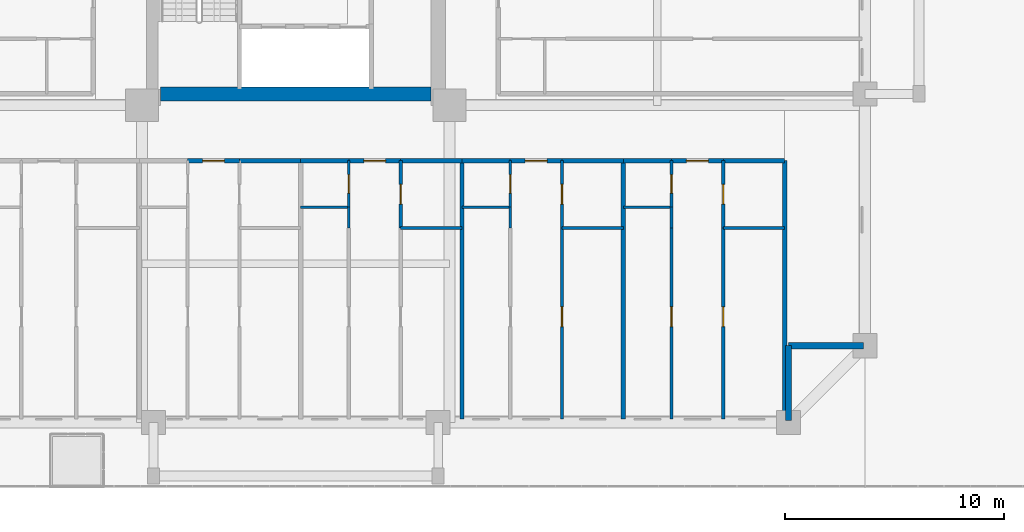
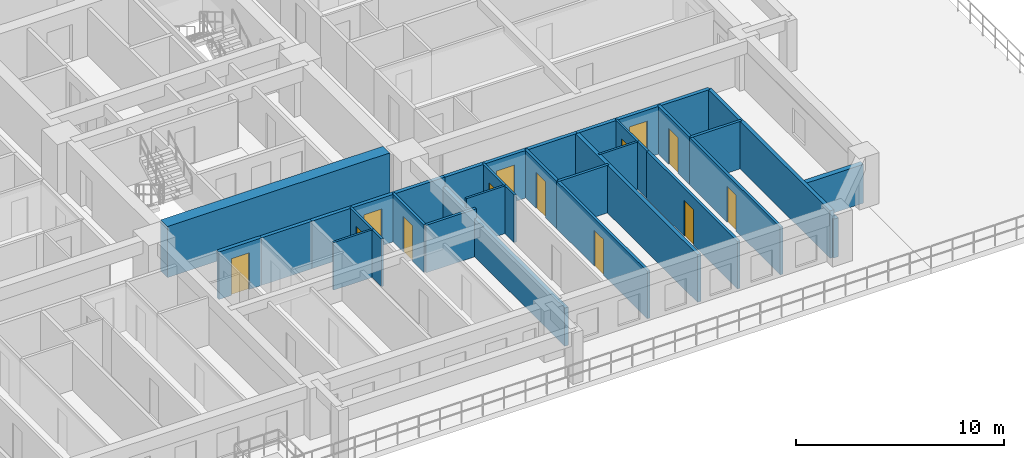
# One storey, part 5 of 19: 35 walls, 13 doors, 13 openings.
"""IFC4 building model written with IfcOpenShell, lengths in metres."""

from ifc_helpers import new_model, si_unit, direction, frame, frame_2d, origin, place, context, subcontext, project, spatial, rectangle, extrude, source, transform, mapped, material, layer, layer_set, type_object, element, fill, save


model = new_model("IFC4")

# Units and contexts
model_context = context("Model", 3, precision=1e-05, world=origin(), true_north=direction((0.0, 1.0)))
body_context = subcontext(model_context, "Body", "Model", "MODEL_VIEW")
ifc_project = project(units=[si_unit("LENGTHUNIT", "METRE"), si_unit("AREAUNIT", "SQUARE_METRE"), si_unit("VOLUMEUNIT", "CUBIC_METRE"), si_unit("PLANEANGLEUNIT", "RADIAN"), si_unit("MASSUNIT", "GRAM", prefix="KILO")], contexts=[model_context])

# Site, building, storey
site_placement = place(None, origin())
site = spatial("IfcSite", under=ifc_project, at=site_placement, CompositionType="ELEMENT")
building_placement = place(site_placement, origin())
building = spatial("IfcBuilding", under=site, at=building_placement, Name="Saelheon Loggia Tower", CompositionType="ELEMENT")
storey_placement = place(building_placement, frame((0.0, 0.0, 19.39990234375)))
storey = spatial("IfcBuildingStorey", under=building, at=storey_placement, Name="L05", CompositionType="ELEMENT", Elevation=19.39990234375)

# Walls
ifc_material_1 = material(Name="Concrete C60/75", Category="concrete")
ifc_layer_1 = layer(ifc_material_1, 0.64990234375)
ifc_layer_set_1 = layer_set([ifc_layer_1], Name="Concrete C60/75")
wall_type_1 = type_object("IfcWallType", Name="Wall_CoreShear_650", PredefinedType="SHEAR", material=ifc_layer_set_1)
wall_1_placement = place(storey_placement, frame((31.824951171875, 18.0, 0.0), z_axis=(0.0, 0.0, 1.0), x_axis=(1.0, 0.0, 0.0)))
element("IfcWall", 1, at=wall_1_placement, inside=storey, type_object=wall_type_1, Name="L05 Core Shear Wall South", PredefinedType="SHEAR", context=body_context, shape_type="SweptSolid", body=[
    extrude(rectangle(XDim=12.35009765625, YDim=0.64990234375, at=frame_2d((6.175048828125, 0.0))), origin(), (0.0, 0.0, 1.0), 3.0),
])
ifc_material_2 = material(Name="Architectural Precast Concrete C40/50", Category="concrete")
ifc_layer_2 = layer(ifc_material_2, 0.280029296875)
ifc_layer_set_2 = layer_set([ifc_layer_2], Name="Architectural Precast Concrete C40/50")
wall_type_2 = type_object("IfcWallType", Name="Wall_Ext_Loggia_280", PredefinedType="SOLIDWALL", material=ifc_layer_set_2)
for number, where, z_axis, x_axis, name in (
    (2, (60.5, 3.080078125, 0.0), (0.0, 0.0, 1.0), (0.0, 1.0, 0.0), "L05 Corner Notch Precast Wall SE1"),
    (3, (60.5, 6.5, 0.0), (0.0, 0.0, 1.0), (1.0, 0.0, 0.0), "L05 Corner Notch Precast Wall SE2"),
):
    element("IfcWall", number, at=place(storey_placement, frame(where, z_axis=z_axis, x_axis=x_axis)), inside=storey, type_object=wall_type_2, Name=name, PredefinedType="SOLIDWALL", context=body_context, shape_type="SweptSolid", body=[
        extrude(rectangle(XDim=3.419921875, YDim=0.280029296875, at=frame_2d((1.7099609375, 0.0))), origin(), (0.0, 0.0, 1.0), 2.280029296875),
    ])
ifc_material_3 = material(Name="Lightweight Autoclaved Aerated Concrete Block and Acoustic Gypsum", Category="concrete")
ifc_layer_3 = layer(ifc_material_3, 0.14990234375)
ifc_layer_set_3 = layer_set([ifc_layer_3], Name="Lightweight Autoclaved Aerated Concrete Block and Acoustic Gypsum")
wall_type_3 = type_object("IfcWallType", Name="Wall_Part_150", PredefinedType="PARTITIONING", material=ifc_layer_set_3)
wall_2_placement = place(storey_placement, frame((42.789794921875, 11.8798828125, 0.0), z_axis=(0.0, 0.0, 1.0), x_axis=(1.0, 0.0, 0.0)))
element("IfcWall", 4, at=wall_2_placement, inside=storey, type_object=wall_type_3, Name="L05 S Partition V40", PredefinedType="PARTITIONING", context=body_context, shape_type="SweptSolid", body=[
    extrude(rectangle(XDim=2.799072265625, YDim=0.14990234375, at=frame_2d((1.3994140625, 0.0))), origin(), (0.0, 0.0, 1.0), 2.7900390625),
])

# Wall, opening, door
wall_3_placement = place(storey_placement, frame((42.789794921875, 14.949951171875, 0.0), z_axis=(0.0, 0.0, 1.0), x_axis=(0.0, -1.0, 0.0)))
wall_3 = element("IfcWall", 5, at=wall_3_placement, inside=storey, type_object=wall_type_3, Name="L05 S Partition U44", PredefinedType="PARTITIONING", context=body_context, shape_type="SweptSolid", body=[
    extrude(rectangle(XDim=3.070068359375, YDim=0.14990234375, at=frame_2d((1.53515625, 0.0))), origin(), (0.0, 0.0, 1.0), 2.7900390625),
])
opening_1_placement = place(wall_3_placement, frame((1.0849609375, 0.0, 0.0)))
opening_1 = element("IfcOpeningElement", 6, at=opening_1_placement, cuts=wall_3, Name="Opening D-IN2", PredefinedType="OPENING", context=body_context, shape_type="SweptSolid", body=[
    extrude(rectangle(XDim=0.89990234375, YDim=2.10009765625, at=frame_2d((0.449951171875, 1.050048828125))), frame((0.0, 0.0869140625, 0.0), z_axis=(0.0, -1.0, 0.0), x_axis=(1.0, 0.0, 0.0)), (0.0, 0.0, 1.0), 0.173828125),
])
ifc_material_4 = material(Name="Engineered Oak Flush Door", Category="timber")
door_type_1 = type_object("IfcDoorType", Name="Door_Int_900", OperationType="NOTDEFINED", PredefinedType="DOOR", material=ifc_material_4)
shared_shape_1 = source(origin(), body_context, "Body", "SweptSolid", [
    extrude(rectangle(XDim=0.89990234375, YDim=2.10009765625, at=frame_2d((0.449951171875, 1.050048828125))), frame((0.0, 0.02490234375, 0.0), z_axis=(0.0, -1.0, 0.0), x_axis=(1.0, 0.0, 0.0)), (0.0, 0.0, 1.0), 0.050048828125),
])
door_1_placement = place(opening_1_placement, origin())
door_1 = element("IfcDoor", 7, at=door_1_placement, inside=storey, type_object=door_type_1, Name="Unit U04 Dressing Closet Door", OperationType="SINGLE_SWING_LEFT", OverallHeight=2.10009765625, OverallWidth=0.89990234375, PredefinedType="DOOR", context=body_context, shape_type="MappedRepresentation", body=[
    mapped(shared_shape_1, transform((0.0, 0.0, 0.0), scale=1.0)),
])
fill(opening_1, door_1)

# Wall
wall_4_placement = place(storey_placement, frame((50.155517578125, 11.8798828125, 0.0), z_axis=(0.0, 0.0, 1.0), x_axis=(1.0, 0.0, 0.0)))
element("IfcWall", 8, at=wall_4_placement, inside=storey, type_object=wall_type_3, Name="L05 S Partition V51", PredefinedType="PARTITIONING", context=body_context, shape_type="SweptSolid", body=[
    extrude(rectangle(XDim=2.798828125, YDim=0.14990234375, at=frame_2d((1.3994140625, 0.0))), origin(), (0.0, 0.0, 1.0), 2.7900390625),
])

# Wall, opening, door
wall_5_placement = place(storey_placement, frame((50.155517578125, 14.949951171875, 0.0), z_axis=(0.0, 0.0, 1.0), x_axis=(0.0, -1.0, 0.0)))
wall_5 = element("IfcWall", 9, at=wall_5_placement, inside=storey, type_object=wall_type_3, Name="L05 S Partition U55", PredefinedType="PARTITIONING", context=body_context, shape_type="SweptSolid", body=[
    extrude(rectangle(XDim=3.070068359375, YDim=0.14990234375, at=frame_2d((1.53515625, 0.0))), origin(), (0.0, 0.0, 1.0), 2.7900390625),
])
opening_2_placement = place(wall_5_placement, frame((1.0849609375, 0.0, 0.0)))
opening_2 = element("IfcOpeningElement", 10, at=opening_2_placement, cuts=wall_5, Name="Opening D-IN2", PredefinedType="OPENING", context=body_context, shape_type="SweptSolid", body=[
    extrude(rectangle(XDim=0.89990234375, YDim=2.10009765625, at=frame_2d((0.449951171875, 1.050048828125))), frame((0.0, 0.0869140625, 0.0), z_axis=(0.0, -1.0, 0.0), x_axis=(1.0, 0.0, 0.0)), (0.0, 0.0, 1.0), 0.173828125),
])
door_2_placement = place(opening_2_placement, origin())
door_2 = element("IfcDoor", 11, at=door_2_placement, inside=storey, type_object=door_type_1, Name="Unit U05 Dressing Closet Door", OperationType="SINGLE_SWING_RIGHT", OverallHeight=2.10009765625, OverallWidth=0.89990234375, PredefinedType="DOOR", context=body_context, shape_type="MappedRepresentation", body=[
    mapped(shared_shape_1, transform((0.0, 0.0, 0.0), scale=1.0)),
])
fill(opening_2, door_2)

wall_6_placement = place(storey_placement, frame((50.155517578125, 11.8798828125, 0.0), z_axis=(0.0, 0.0, 1.0), x_axis=(0.0, -1.0, 0.0)))
wall_6 = element("IfcWall", 12, at=wall_6_placement, inside=storey, type_object=wall_type_3, Name="L05 S Partition U56", PredefinedType="PARTITIONING", context=body_context, shape_type="SweptSolid", body=[
    extrude(rectangle(XDim=8.72998046875, YDim=0.14990234375, at=frame_2d((4.364990234375, 0.0))), origin(), (0.0, 0.0, 1.0), 2.7900390625),
])
opening_3_placement = place(wall_6_placement, frame((3.608642578125, 0.0, 0.0)))
opening_3 = element("IfcOpeningElement", 13, at=opening_3_placement, cuts=wall_6, Name="Opening D-IN2", PredefinedType="OPENING", context=body_context, shape_type="SweptSolid", body=[
    extrude(rectangle(XDim=0.89990234375, YDim=2.10009765625, at=frame_2d((0.449951171875, 1.050048828125))), frame((0.0, 0.0869140625, 0.0), z_axis=(0.0, -1.0, 0.0), x_axis=(1.0, 0.0, 0.0)), (0.0, 0.0, 1.0), 0.173828125),
])
door_3_placement = place(opening_3_placement, origin())
door_3 = element("IfcDoor", 14, at=door_3_placement, inside=storey, type_object=door_type_1, Name="Unit U05 Bedroom 1 Door", OperationType="SINGLE_SWING_LEFT", OverallHeight=2.10009765625, OverallWidth=0.89990234375, PredefinedType="DOOR", context=body_context, shape_type="MappedRepresentation", body=[
    mapped(shared_shape_1, transform((0.0, 0.0, 0.0), scale=1.0)),
])
fill(opening_3, door_3)

# Wall
wall_7_placement = place(storey_placement, frame((57.52099609375, 11.8798828125, 0.0), z_axis=(0.0, 0.0, 1.0), x_axis=(1.0, 0.0, 0.0)))
element("IfcWall", 15, at=wall_7_placement, inside=storey, type_object=wall_type_3, Name="L05 S Partition V62", PredefinedType="PARTITIONING", context=body_context, shape_type="SweptSolid", body=[
    extrude(rectangle(XDim=2.799072265625, YDim=0.14990234375, at=frame_2d((1.3994140625, 0.0))), origin(), (0.0, 0.0, 1.0), 2.7900390625),
])

# Wall, opening, door
wall_8_placement = place(storey_placement, frame((55.154296875, 11.8798828125, 0.0), z_axis=(0.0, 0.0, 1.0), x_axis=(0.0, -1.0, 0.0)))
wall_8 = element("IfcWall", 16, at=wall_8_placement, inside=storey, type_object=wall_type_3, Name="L05 S Partition U65", PredefinedType="PARTITIONING", context=body_context, shape_type="SweptSolid", body=[
    extrude(rectangle(XDim=8.72998046875, YDim=0.14990234375, at=frame_2d((4.364990234375, 0.0))), origin(), (0.0, 0.0, 1.0), 2.7900390625),
])
opening_4_placement = place(wall_8_placement, frame((3.608642578125, 0.0, 0.0)))
opening_4 = element("IfcOpeningElement", 17, at=opening_4_placement, cuts=wall_8, Name="Opening D-IN2", PredefinedType="OPENING", context=body_context, shape_type="SweptSolid", body=[
    extrude(rectangle(XDim=0.89990234375, YDim=2.10009765625, at=frame_2d((0.449951171875, 1.050048828125))), frame((0.0, 0.0869140625, 0.0), z_axis=(0.0, -1.0, 0.0), x_axis=(1.0, 0.0, 0.0)), (0.0, 0.0, 1.0), 0.173828125),
])
door_4_placement = place(opening_4_placement, origin())
door_4 = element("IfcDoor", 18, at=door_4_placement, inside=storey, type_object=door_type_1, Name="Unit U06 Kitchen Door", OperationType="SINGLE_SWING_RIGHT", OverallHeight=2.10009765625, OverallWidth=0.89990234375, PredefinedType="DOOR", context=body_context, shape_type="MappedRepresentation", body=[
    mapped(shared_shape_1, transform((0.0, 0.0, 0.0), scale=1.0)),
])
fill(opening_4, door_4)

wall_9_placement = place(storey_placement, frame((57.52099609375, 14.949951171875, 0.0), z_axis=(0.0, 0.0, 1.0), x_axis=(0.0, -1.0, 0.0)))
wall_9 = element("IfcWall", 19, at=wall_9_placement, inside=storey, type_object=wall_type_3, Name="L05 S Partition U66", PredefinedType="PARTITIONING", context=body_context, shape_type="SweptSolid", body=[
    extrude(rectangle(XDim=3.070068359375, YDim=0.14990234375, at=frame_2d((1.53515625, 0.0))), origin(), (0.0, 0.0, 1.0), 2.7900390625),
])
opening_5_placement = place(wall_9_placement, frame((1.0849609375, 0.0, 0.0)))
opening_5 = element("IfcOpeningElement", 20, at=opening_5_placement, cuts=wall_9, Name="Opening D-IN2", PredefinedType="OPENING", context=body_context, shape_type="SweptSolid", body=[
    extrude(rectangle(XDim=0.89990234375, YDim=2.10009765625, at=frame_2d((0.449951171875, 1.050048828125))), frame((0.0, 0.0869140625, 0.0), z_axis=(0.0, -1.0, 0.0), x_axis=(1.0, 0.0, 0.0)), (0.0, 0.0, 1.0), 0.173828125),
])
door_5_placement = place(opening_5_placement, origin())
door_5 = element("IfcDoor", 21, at=door_5_placement, inside=storey, type_object=door_type_1, Name="Unit U06 Dressing Closet Door", OperationType="SINGLE_SWING_LEFT", OverallHeight=2.10009765625, OverallWidth=0.89990234375, PredefinedType="DOOR", context=body_context, shape_type="MappedRepresentation", body=[
    mapped(shared_shape_1, transform((0.0, 0.0, 0.0), scale=1.0)),
])
fill(opening_5, door_5)

wall_10_placement = place(storey_placement, frame((57.52099609375, 11.8798828125, 0.0), z_axis=(0.0, 0.0, 1.0), x_axis=(0.0, -1.0, 0.0)))
wall_10 = element("IfcWall", 22, at=wall_10_placement, inside=storey, type_object=wall_type_3, Name="L05 S Partition U67", PredefinedType="PARTITIONING", context=body_context, shape_type="SweptSolid", body=[
    extrude(rectangle(XDim=8.72998046875, YDim=0.14990234375, at=frame_2d((4.364990234375, 0.0))), origin(), (0.0, 0.0, 1.0), 2.7900390625),
])
opening_6_placement = place(wall_10_placement, frame((3.608642578125, 0.0, 0.0)))
opening_6 = element("IfcOpeningElement", 23, at=opening_6_placement, cuts=wall_10, Name="Opening D-IN2", PredefinedType="OPENING", context=body_context, shape_type="SweptSolid", body=[
    extrude(rectangle(XDim=0.89990234375, YDim=2.10009765625, at=frame_2d((0.449951171875, 1.050048828125))), frame((0.0, 0.0869140625, 0.0), z_axis=(0.0, -1.0, 0.0), x_axis=(1.0, 0.0, 0.0)), (0.0, 0.0, 1.0), 0.173828125),
])
door_6_placement = place(opening_6_placement, origin())
door_6 = element("IfcDoor", 24, at=door_6_placement, inside=storey, type_object=door_type_1, Name="Unit U06 Bedroom 1 Door", OperationType="SINGLE_SWING_RIGHT", OverallHeight=2.10009765625, OverallWidth=0.89990234375, PredefinedType="DOOR", context=body_context, shape_type="MappedRepresentation", body=[
    mapped(shared_shape_1, transform((0.0, 0.0, 0.0), scale=1.0)),
])
fill(opening_6, door_6)

# Wall
ifc_material_5 = material(Name="Double Acoustic Stud and Fireboard Partition", Category="gypsum")
ifc_layer_4 = layer(ifc_material_5, 0.199951171875)
ifc_layer_set_4 = layer_set([ifc_layer_4], Name="Double Acoustic Stud and Fireboard Partition")
wall_type_4 = type_object("IfcWallType", Name="Wall_Party_200", PredefinedType="PARTITIONING", material=ifc_layer_set_4)
wall_11_placement = place(storey_placement, frame((60.320068359375, 14.949951171875, 0.0), z_axis=(0.0, 0.0, 1.0), x_axis=(0.0, -1.0, 0.0)))
element("IfcWall", 25, at=wall_11_placement, inside=storey, type_object=wall_type_4, Name="L05 S Partition U02", PredefinedType="PARTITIONING", context=body_context, shape_type="SweptSolid", body=[
    extrude(rectangle(XDim=11.800048828125, YDim=0.199951171875, at=frame_2d((5.89990234375, 0.0))), origin(), (0.0, 0.0, 1.0), 2.7900390625),
])

# Wall, opening, door
wall_12_placement = place(storey_placement, frame((33.0576171875, 14.949951171875, 0.0), z_axis=(0.0, 0.0, 1.0), x_axis=(1.0, 0.0, 0.0)))
wall_12 = element("IfcWall", 26, at=wall_12_placement, inside=storey, type_object=wall_type_4, Name="L05 S Partition V26", PredefinedType="PARTITIONING", context=body_context, shape_type="SweptSolid", body=[
    extrude(rectangle(XDim=2.36669921875, YDim=0.199951171875, at=frame_2d((1.183349609375, 0.0))), origin(), (0.0, 0.0, 1.0), 2.7900390625),
])
opening_7_placement = place(wall_12_placement, frame((0.683349609375, 0.0, 0.0)))
opening_7 = element("IfcOpeningElement", 27, at=opening_7_placement, cuts=wall_12, Name="Opening D-FD1", PredefinedType="OPENING", context=body_context, shape_type="SweptSolid", body=[
    extrude(rectangle(XDim=1.0, YDim=2.14990234375, at=frame_2d((0.5, 1.074951171875))), frame((0.0, 0.112060546875, 0.0), z_axis=(0.0, -1.0, 0.0), x_axis=(1.0, 0.0, 0.0)), (0.0, 0.0, 1.0), 0.223876953125),
])
ifc_material_6 = material(Name="Fire-Rated Engineered Timber Entrance Door", Category="wood")
door_type_2 = type_object("IfcDoorType", Name="Door_Flat_FD30S", OperationType="NOTDEFINED", PredefinedType="DOOR", material=ifc_material_6)
shared_shape_2 = source(origin(), body_context, "Body", "SweptSolid", [
    extrude(rectangle(XDim=1.0, YDim=2.14990234375, at=frame_2d((0.5, 1.074951171875))), frame((0.0, 0.02490234375, 0.0), z_axis=(0.0, -1.0, 0.0), x_axis=(1.0, 0.0, 0.0)), (0.0, 0.0, 1.0), 0.050048828125),
])
door_7_placement = place(opening_7_placement, origin())
door_7 = element("IfcDoor", 28, at=door_7_placement, inside=storey, type_object=door_type_2, Name="Unit U03 Entrance Door", OperationType="SINGLE_SWING_LEFT", OverallHeight=2.14990234375, OverallWidth=1.0, PredefinedType="DOOR", context=body_context, shape_type="MappedRepresentation", body=[
    mapped(shared_shape_2, transform((0.0, 0.0, 0.0), scale=1.0)),
])
fill(opening_7, door_7)

# Walls
wall_13_placement = place(storey_placement, frame((35.42431640625, 14.949951171875, 0.0), z_axis=(0.0, 0.0, 1.0), x_axis=(1.0, 0.0, 0.0)))
element("IfcWall", 29, at=wall_13_placement, inside=storey, type_object=wall_type_4, Name="L05 S Partition V27", PredefinedType="PARTITIONING", context=body_context, shape_type="SweptSolid", body=[
    extrude(rectangle(XDim=2.798828125, YDim=0.199951171875, at=frame_2d((1.3994140625, 0.0))), origin(), (0.0, 0.0, 1.0), 2.7900390625),
])
wall_14_placement = place(storey_placement, frame((38.22314453125, 14.949951171875, 0.0), z_axis=(0.0, 0.0, 1.0), x_axis=(1.0, 0.0, 0.0)))
element("IfcWall", 30, at=wall_14_placement, inside=storey, type_object=wall_type_4, Name="L05 S Partition V36", PredefinedType="PARTITIONING", context=body_context, shape_type="SweptSolid", body=[
    extrude(rectangle(XDim=2.199951171875, YDim=0.199951171875, at=frame_2d((1.10009765625, 0.0))), origin(), (0.0, 0.0, 1.0), 2.7900390625),
])

# Wall, opening, door
wall_15_placement = place(storey_placement, frame((40.423095703125, 14.949951171875, 0.0), z_axis=(0.0, 0.0, 1.0), x_axis=(1.0, 0.0, 0.0)))
wall_15 = element("IfcWall", 31, at=wall_15_placement, inside=storey, type_object=wall_type_4, Name="L05 S Partition V37", PredefinedType="PARTITIONING", context=body_context, shape_type="SweptSolid", body=[
    extrude(rectangle(XDim=2.36669921875, YDim=0.199951171875, at=frame_2d((1.183349609375, 0.0))), origin(), (0.0, 0.0, 1.0), 2.7900390625),
])
opening_8_placement = place(wall_15_placement, frame((0.683349609375, 0.0, 0.0)))
opening_8 = element("IfcOpeningElement", 32, at=opening_8_placement, cuts=wall_15, Name="Opening D-FD1", PredefinedType="OPENING", context=body_context, shape_type="SweptSolid", body=[
    extrude(rectangle(XDim=1.0, YDim=2.14990234375, at=frame_2d((0.5, 1.074951171875))), frame((0.0, 0.112060546875, 0.0), z_axis=(0.0, -1.0, 0.0), x_axis=(1.0, 0.0, 0.0)), (0.0, 0.0, 1.0), 0.223876953125),
])
door_8_placement = place(opening_8_placement, origin())
door_8 = element("IfcDoor", 33, at=door_8_placement, inside=storey, type_object=door_type_2, Name="Unit U04 Entrance Door", OperationType="SINGLE_SWING_RIGHT", OverallHeight=2.14990234375, OverallWidth=1.0, PredefinedType="DOOR", context=body_context, shape_type="MappedRepresentation", body=[
    mapped(shared_shape_2, transform((0.0, 0.0, 0.0), scale=1.0)),
])
fill(opening_8, door_8)

# Walls
wall_16_placement = place(storey_placement, frame((42.789794921875, 14.949951171875, 0.0), z_axis=(0.0, 0.0, 1.0), x_axis=(1.0, 0.0, 0.0)))
element("IfcWall", 34, at=wall_16_placement, inside=storey, type_object=wall_type_4, Name="L05 S Partition V38", PredefinedType="PARTITIONING", context=body_context, shape_type="SweptSolid", body=[
    extrude(rectangle(XDim=2.799072265625, YDim=0.199951171875, at=frame_2d((1.3994140625, 0.0))), origin(), (0.0, 0.0, 1.0), 2.7900390625),
])
wall_17_placement = place(storey_placement, frame((45.5888671875, 14.949951171875, 0.0), z_axis=(0.0, 0.0, 1.0), x_axis=(0.0, -1.0, 0.0)))
element("IfcWall", 35, at=wall_17_placement, inside=storey, type_object=wall_type_4, Name="L05 S Partition U46", PredefinedType="PARTITIONING", context=body_context, shape_type="SweptSolid", body=[
    extrude(rectangle(XDim=11.800048828125, YDim=0.199951171875, at=frame_2d((5.89990234375, 0.0))), origin(), (0.0, 0.0, 1.0), 2.239990234375),
])
wall_18_placement = place(storey_placement, frame((45.5888671875, 14.949951171875, 0.0), z_axis=(0.0, 0.0, 1.0), x_axis=(1.0, 0.0, 0.0)))
element("IfcWall", 36, at=wall_18_placement, inside=storey, type_object=wall_type_4, Name="L05 S Partition V47", PredefinedType="PARTITIONING", context=body_context, shape_type="SweptSolid", body=[
    extrude(rectangle(XDim=2.199951171875, YDim=0.199951171875, at=frame_2d((1.10009765625, 0.0))), origin(), (0.0, 0.0, 1.0), 2.7900390625),
])

# Wall, opening, door
wall_19_placement = place(storey_placement, frame((47.788818359375, 14.949951171875, 0.0), z_axis=(0.0, 0.0, 1.0), x_axis=(1.0, 0.0, 0.0)))
wall_19 = element("IfcWall", 37, at=wall_19_placement, inside=storey, type_object=wall_type_4, Name="L05 S Partition V48", PredefinedType="PARTITIONING", context=body_context, shape_type="SweptSolid", body=[
    extrude(rectangle(XDim=2.36669921875, YDim=0.199951171875, at=frame_2d((1.183349609375, 0.0))), origin(), (0.0, 0.0, 1.0), 2.7900390625),
])
opening_9_placement = place(wall_19_placement, frame((0.683349609375, 0.0, 0.0)))
opening_9 = element("IfcOpeningElement", 38, at=opening_9_placement, cuts=wall_19, Name="Opening D-FD1", PredefinedType="OPENING", context=body_context, shape_type="SweptSolid", body=[
    extrude(rectangle(XDim=1.0, YDim=2.14990234375, at=frame_2d((0.5, 1.074951171875))), frame((0.0, 0.112060546875, 0.0), z_axis=(0.0, -1.0, 0.0), x_axis=(1.0, 0.0, 0.0)), (0.0, 0.0, 1.0), 0.223876953125),
])
door_9_placement = place(opening_9_placement, origin())
door_9 = element("IfcDoor", 39, at=door_9_placement, inside=storey, type_object=door_type_2, Name="Unit U05 Entrance Door", OperationType="SINGLE_SWING_LEFT", OverallHeight=2.14990234375, OverallWidth=1.0, PredefinedType="DOOR", context=body_context, shape_type="MappedRepresentation", body=[
    mapped(shared_shape_2, transform((0.0, 0.0, 0.0), scale=1.0)),
])
fill(opening_9, door_9)

# Walls
wall_20_placement = place(storey_placement, frame((50.155517578125, 14.949951171875, 0.0), z_axis=(0.0, 0.0, 1.0), x_axis=(1.0, 0.0, 0.0)))
element("IfcWall", 40, at=wall_20_placement, inside=storey, type_object=wall_type_4, Name="L05 S Partition V49", PredefinedType="PARTITIONING", context=body_context, shape_type="SweptSolid", body=[
    extrude(rectangle(XDim=2.798828125, YDim=0.199951171875, at=frame_2d((1.3994140625, 0.0))), origin(), (0.0, 0.0, 1.0), 2.7900390625),
])
wall_21_placement = place(storey_placement, frame((52.954345703125, 14.949951171875, 0.0), z_axis=(0.0, 0.0, 1.0), x_axis=(0.0, -1.0, 0.0)))
element("IfcWall", 41, at=wall_21_placement, inside=storey, type_object=wall_type_4, Name="L05 S Partition U57", PredefinedType="PARTITIONING", context=body_context, shape_type="SweptSolid", body=[
    extrude(rectangle(XDim=11.800048828125, YDim=0.199951171875, at=frame_2d((5.89990234375, 0.0))), origin(), (0.0, 0.0, 1.0), 2.7900390625),
])
wall_22_placement = place(storey_placement, frame((52.954345703125, 14.949951171875, 0.0), z_axis=(0.0, 0.0, 1.0), x_axis=(1.0, 0.0, 0.0)))
element("IfcWall", 42, at=wall_22_placement, inside=storey, type_object=wall_type_4, Name="L05 S Partition V58", PredefinedType="PARTITIONING", context=body_context, shape_type="SweptSolid", body=[
    extrude(rectangle(XDim=2.199951171875, YDim=0.199951171875, at=frame_2d((1.10009765625, 0.0))), origin(), (0.0, 0.0, 1.0), 2.7900390625),
])

# Wall, opening, door
wall_23_placement = place(storey_placement, frame((55.154296875, 14.949951171875, 0.0), z_axis=(0.0, 0.0, 1.0), x_axis=(1.0, 0.0, 0.0)))
wall_23 = element("IfcWall", 43, at=wall_23_placement, inside=storey, type_object=wall_type_4, Name="L05 S Partition V59", PredefinedType="PARTITIONING", context=body_context, shape_type="SweptSolid", body=[
    extrude(rectangle(XDim=2.36669921875, YDim=0.199951171875, at=frame_2d((1.183349609375, 0.0))), origin(), (0.0, 0.0, 1.0), 2.7900390625),
])
opening_10_placement = place(wall_23_placement, frame((0.683349609375, 0.0, 0.0)))
opening_10 = element("IfcOpeningElement", 44, at=opening_10_placement, cuts=wall_23, Name="Opening D-FD1", PredefinedType="OPENING", context=body_context, shape_type="SweptSolid", body=[
    extrude(rectangle(XDim=1.0, YDim=2.14990234375, at=frame_2d((0.5, 1.074951171875))), frame((0.0, 0.112060546875, 0.0), z_axis=(0.0, -1.0, 0.0), x_axis=(1.0, 0.0, 0.0)), (0.0, 0.0, 1.0), 0.223876953125),
])
door_10_placement = place(opening_10_placement, origin())
door_10 = element("IfcDoor", 45, at=door_10_placement, inside=storey, type_object=door_type_2, Name="Unit U06 Entrance Door", OperationType="SINGLE_SWING_RIGHT", OverallHeight=2.14990234375, OverallWidth=1.0, PredefinedType="DOOR", context=body_context, shape_type="MappedRepresentation", body=[
    mapped(shared_shape_2, transform((0.0, 0.0, 0.0), scale=1.0)),
])
fill(opening_10, door_10)

# Walls
wall_24_placement = place(storey_placement, frame((57.52099609375, 14.949951171875, 0.0), z_axis=(0.0, 0.0, 1.0), x_axis=(1.0, 0.0, 0.0)))
element("IfcWall", 46, at=wall_24_placement, inside=storey, type_object=wall_type_4, Name="L05 S Partition V60", PredefinedType="PARTITIONING", context=body_context, shape_type="SweptSolid", body=[
    extrude(rectangle(XDim=2.799072265625, YDim=0.199951171875, at=frame_2d((1.3994140625, 0.0))), origin(), (0.0, 0.0, 1.0), 2.7900390625),
])
ifc_material_7 = material(Name="Moisture-Resistant Cement Board Partition", Category="gypsum")
ifc_layer_5 = layer(ifc_material_7, 0.1201171875)
ifc_layer_set_5 = layer_set([ifc_layer_5], Name="Moisture-Resistant Cement Board Partition")
wall_type_5 = type_object("IfcWallType", Name="Wall_WetPart_120", PredefinedType="PARTITIONING", material=ifc_layer_set_5)
wall_25_placement = place(storey_placement, frame((38.22314453125, 12.830078125, 0.0), z_axis=(0.0, 0.0, 1.0), x_axis=(1.0, 0.0, 0.0)))
element("IfcWall", 47, at=wall_25_placement, inside=storey, type_object=wall_type_5, Name="L05 S Partition V39", PredefinedType="PARTITIONING", context=body_context, shape_type="SweptSolid", body=[
    extrude(rectangle(XDim=2.199951171875, YDim=0.1201171875, at=frame_2d((1.10009765625, 0.0))), origin(), (0.0, 0.0, 1.0), 2.7900390625),
])

# Wall, opening, door
wall_26_placement = place(storey_placement, frame((40.423095703125, 14.949951171875, 0.0), z_axis=(0.0, 0.0, 1.0), x_axis=(0.0, -1.0, 0.0)))
wall_26 = element("IfcWall", 48, at=wall_26_placement, inside=storey, type_object=wall_type_5, Name="L05 S Partition U41", PredefinedType="PARTITIONING", context=body_context, shape_type="SweptSolid", body=[
    extrude(rectangle(XDim=2.119873046875, YDim=0.1201171875, at=frame_2d((1.06005859375, 0.0))), origin(), (0.0, 0.0, 1.0), 2.7900390625),
])
opening_11_placement = place(wall_26_placement, frame((0.635009765625, 0.0, 0.0)))
opening_11 = element("IfcOpeningElement", 49, at=opening_11_placement, cuts=wall_26, Name="Opening D-BT1", PredefinedType="OPENING", context=body_context, shape_type="SweptSolid", body=[
    extrude(rectangle(XDim=0.85009765625, YDim=2.050048828125, at=frame_2d((0.425048828125, 1.02490234375))), frame((0.0, 0.072021484375, 0.0), z_axis=(0.0, -1.0, 0.0), x_axis=(1.0, 0.0, 0.0)), (0.0, 0.0, 1.0), 0.14404296875),
])
ifc_material_8 = material(Name="Moisture-Resistant Laminate Timber Door", Category="wood")
door_type_3 = type_object("IfcDoorType", Name="Door_Bath_850", OperationType="NOTDEFINED", PredefinedType="DOOR", material=ifc_material_8)
shared_shape_3 = source(origin(), body_context, "Body", "SweptSolid", [
    extrude(rectangle(XDim=0.85009765625, YDim=2.050048828125, at=frame_2d((0.425048828125, 1.02490234375))), frame((0.0, 0.02490234375, 0.0), z_axis=(0.0, -1.0, 0.0), x_axis=(1.0, 0.0, 0.0)), (0.0, 0.0, 1.0), 0.050048828125),
])
door_11_placement = place(opening_11_placement, origin())
door_11 = element("IfcDoor", 50, at=door_11_placement, inside=storey, type_object=door_type_3, Name="Unit U04 Bathroom Door", OperationType="SINGLE_SWING_LEFT", OverallHeight=2.050048828125, OverallWidth=0.85009765625, PredefinedType="DOOR", context=body_context, shape_type="MappedRepresentation", body=[
    mapped(shared_shape_3, transform((0.0, 0.0, 0.0), scale=1.0)),
])
fill(opening_11, door_11)

# Walls
wall_27_placement = place(storey_placement, frame((40.423095703125, 12.830078125, 0.0), z_axis=(0.0, 0.0, 1.0), x_axis=(0.0, -1.0, 0.0)))
element("IfcWall", 51, at=wall_27_placement, inside=storey, type_object=wall_type_5, Name="L05 S Partition U42", PredefinedType="PARTITIONING", context=body_context, shape_type="SweptSolid", body=[
    extrude(rectangle(XDim=0.9501953125, YDim=0.1201171875, at=frame_2d((0.47509765625, 0.0))), origin(), (0.0, 0.0, 1.0), 2.7900390625),
])
wall_28_placement = place(storey_placement, frame((45.5888671875, 12.830078125, 0.0), z_axis=(0.0, 0.0, 1.0), x_axis=(1.0, 0.0, 0.0)))
element("IfcWall", 52, at=wall_28_placement, inside=storey, type_object=wall_type_5, Name="L05 S Partition V50", PredefinedType="PARTITIONING", context=body_context, shape_type="SweptSolid", body=[
    extrude(rectangle(XDim=2.199951171875, YDim=0.1201171875, at=frame_2d((1.10009765625, 0.0))), origin(), (0.0, 0.0, 1.0), 2.7900390625),
])

# Wall, opening, door
wall_29_placement = place(storey_placement, frame((47.788818359375, 14.949951171875, 0.0), z_axis=(0.0, 0.0, 1.0), x_axis=(0.0, -1.0, 0.0)))
wall_29 = element("IfcWall", 53, at=wall_29_placement, inside=storey, type_object=wall_type_5, Name="L05 S Partition U52", PredefinedType="PARTITIONING", context=body_context, shape_type="SweptSolid", body=[
    extrude(rectangle(XDim=2.119873046875, YDim=0.1201171875, at=frame_2d((1.06005859375, 0.0))), origin(), (0.0, 0.0, 1.0), 2.7900390625),
])
opening_12_placement = place(wall_29_placement, frame((0.635009765625, 0.0, 0.0)))
opening_12 = element("IfcOpeningElement", 54, at=opening_12_placement, cuts=wall_29, Name="Opening D-BT1", PredefinedType="OPENING", context=body_context, shape_type="SweptSolid", body=[
    extrude(rectangle(XDim=0.85009765625, YDim=2.050048828125, at=frame_2d((0.425048828125, 1.02490234375))), frame((0.0, 0.072021484375, 0.0), z_axis=(0.0, -1.0, 0.0), x_axis=(1.0, 0.0, 0.0)), (0.0, 0.0, 1.0), 0.14404296875),
])
door_12_placement = place(opening_12_placement, origin())
door_12 = element("IfcDoor", 55, at=door_12_placement, inside=storey, type_object=door_type_3, Name="Unit U05 Bathroom Door", OperationType="SINGLE_SWING_RIGHT", OverallHeight=2.050048828125, OverallWidth=0.85009765625, PredefinedType="DOOR", context=body_context, shape_type="MappedRepresentation", body=[
    mapped(shared_shape_3, transform((0.0, 0.0, 0.0), scale=1.0)),
])
fill(opening_12, door_12)

# Walls
wall_30_placement = place(storey_placement, frame((47.788818359375, 12.830078125, 0.0), z_axis=(0.0, 0.0, 1.0), x_axis=(0.0, -1.0, 0.0)))
element("IfcWall", 56, at=wall_30_placement, inside=storey, type_object=wall_type_5, Name="L05 S Partition U53", PredefinedType="PARTITIONING", context=body_context, shape_type="SweptSolid", body=[
    extrude(rectangle(XDim=0.9501953125, YDim=0.1201171875, at=frame_2d((0.47509765625, 0.0))), origin(), (0.0, 0.0, 1.0), 2.7900390625),
])
wall_31_placement = place(storey_placement, frame((52.954345703125, 12.830078125, 0.0), z_axis=(0.0, 0.0, 1.0), x_axis=(1.0, 0.0, 0.0)))
element("IfcWall", 57, at=wall_31_placement, inside=storey, type_object=wall_type_5, Name="L05 S Partition V61", PredefinedType="PARTITIONING", context=body_context, shape_type="SweptSolid", body=[
    extrude(rectangle(XDim=2.199951171875, YDim=0.1201171875, at=frame_2d((1.10009765625, 0.0))), origin(), (0.0, 0.0, 1.0), 2.7900390625),
])

# Wall, opening, door
wall_32_placement = place(storey_placement, frame((55.154296875, 14.949951171875, 0.0), z_axis=(0.0, 0.0, 1.0), x_axis=(0.0, -1.0, 0.0)))
wall_32 = element("IfcWall", 58, at=wall_32_placement, inside=storey, type_object=wall_type_5, Name="L05 S Partition U63", PredefinedType="PARTITIONING", context=body_context, shape_type="SweptSolid", body=[
    extrude(rectangle(XDim=2.119873046875, YDim=0.1201171875, at=frame_2d((1.06005859375, 0.0))), origin(), (0.0, 0.0, 1.0), 2.7900390625),
])
opening_13_placement = place(wall_32_placement, frame((0.635009765625, 0.0, 0.0)))
opening_13 = element("IfcOpeningElement", 59, at=opening_13_placement, cuts=wall_32, Name="Opening D-BT1", PredefinedType="OPENING", context=body_context, shape_type="SweptSolid", body=[
    extrude(rectangle(XDim=0.85009765625, YDim=2.050048828125, at=frame_2d((0.425048828125, 1.02490234375))), frame((0.0, 0.072021484375, 0.0), z_axis=(0.0, -1.0, 0.0), x_axis=(1.0, 0.0, 0.0)), (0.0, 0.0, 1.0), 0.14404296875),
])
door_13_placement = place(opening_13_placement, origin())
door_13 = element("IfcDoor", 60, at=door_13_placement, inside=storey, type_object=door_type_3, Name="Unit U06 Bathroom Door", OperationType="SINGLE_SWING_LEFT", OverallHeight=2.050048828125, OverallWidth=0.85009765625, PredefinedType="DOOR", context=body_context, shape_type="MappedRepresentation", body=[
    mapped(shared_shape_3, transform((0.0, 0.0, 0.0), scale=1.0)),
])
fill(opening_13, door_13)

# Wall
wall_33_placement = place(storey_placement, frame((55.154296875, 12.830078125, 0.0), z_axis=(0.0, 0.0, 1.0), x_axis=(0.0, -1.0, 0.0)))
element("IfcWall", 61, at=wall_33_placement, inside=storey, type_object=wall_type_5, Name="L05 S Partition U64", PredefinedType="PARTITIONING", context=body_context, shape_type="SweptSolid", body=[
    extrude(rectangle(XDim=0.9501953125, YDim=0.1201171875, at=frame_2d((0.47509765625, 0.0))), origin(), (0.0, 0.0, 1.0), 2.7900390625),
])

save(model, "model.ifc")
